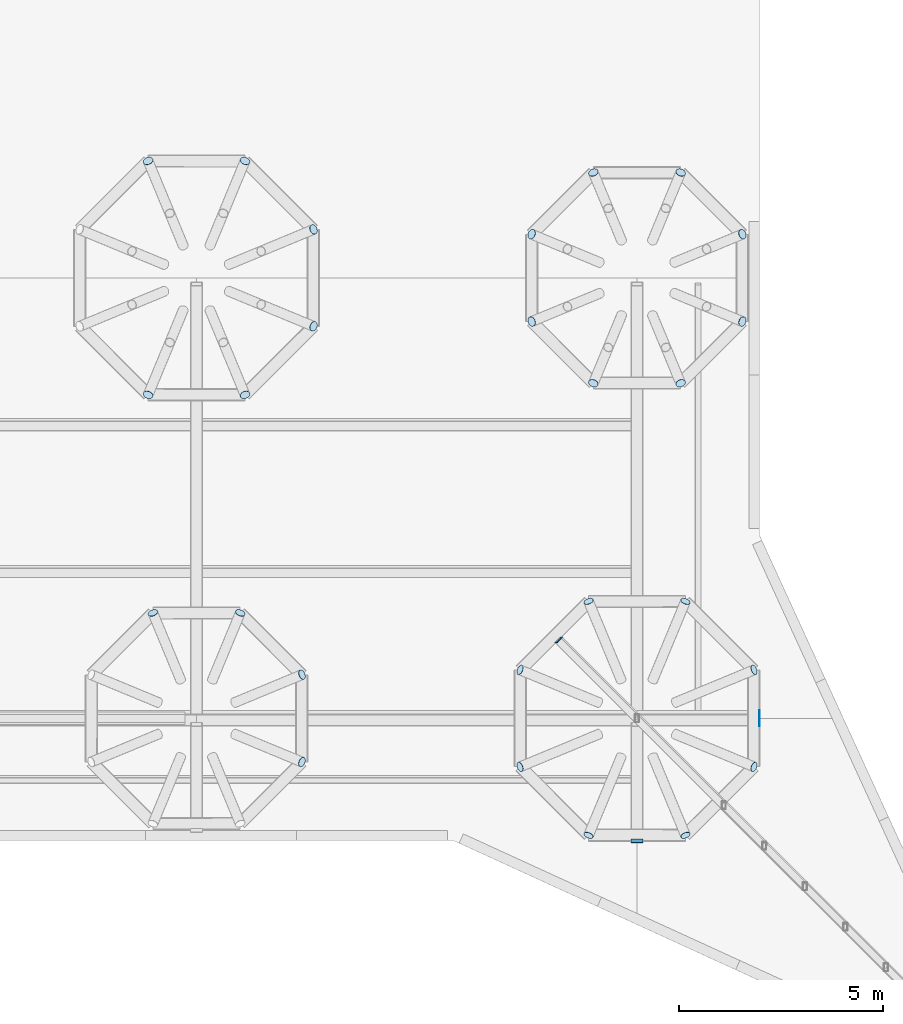
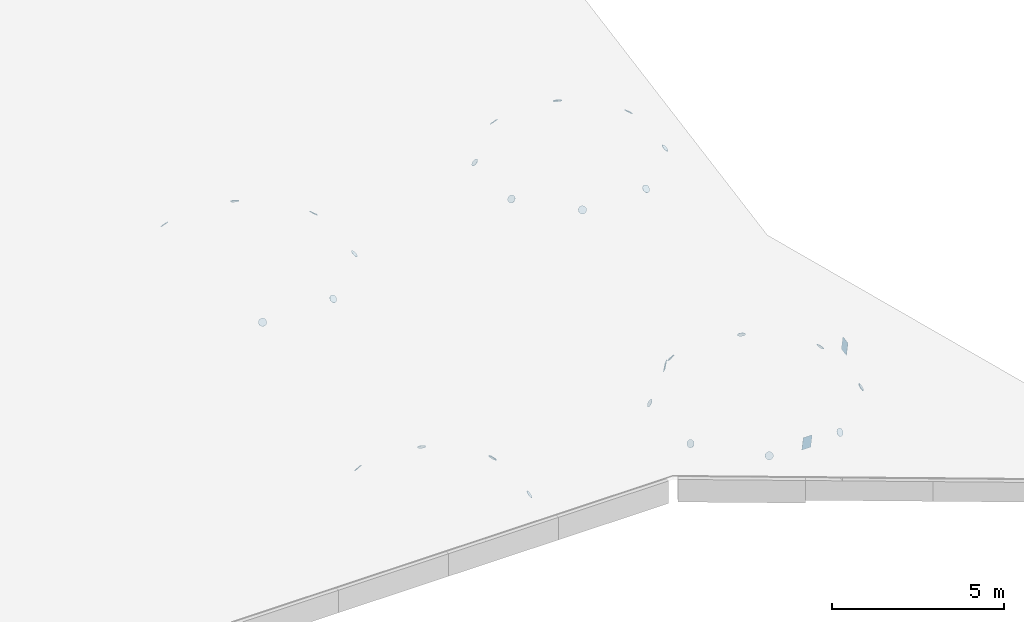
# One storey, part 41 of 56: 29 plates.
"""IFC4 building model written with IfcOpenShell, lengths in metres."""

from ifc_helpers import new_model, si_unit, direction, frame, origin, origin_2d, place, context, subcontext, project, spatial, rectangle, circle, extrude, material, material_profile, profile_set, type_object, element, save


model = new_model("IFC4")

# Units and contexts
model_context = context("Model", 3, precision=1e-05, world=origin(), true_north=direction((0.0, 1.0)))
body_context = subcontext(model_context, "Body", "Model", "MODEL_VIEW")
ifc_project = project(units=[si_unit("LENGTHUNIT", "METRE"), si_unit("AREAUNIT", "SQUARE_METRE"), si_unit("VOLUMEUNIT", "CUBIC_METRE"), si_unit("PLANEANGLEUNIT", "RADIAN"), si_unit("MASSUNIT", "GRAM", prefix="KILO")], contexts=[model_context])

# Site, building, storey
site_placement = place(None, origin())
site = spatial("IfcSite", under=ifc_project, at=site_placement, CompositionType="ELEMENT")
building_placement = place(site_placement, origin())
building = spatial("IfcBuilding", under=site, at=building_placement, Name="Magnolia Steps Interchange", CompositionType="ELEMENT")
storey_placement = place(building_placement, frame((0.0, 0.0, 8.699951171875)))
storey = spatial("IfcBuildingStorey", under=building, at=storey_placement, Name="L02", CompositionType="ELEMENT", Elevation=8.699951171875)

# Plates
ifc_material_1 = material(Name="Steel Q355B", Category="steel")
ifc_material_profile_1 = material_profile(ifc_material_1, circle(Radius=0.12255859375, at=origin_2d()), Name="End plate CHS245x12")
ifc_profile_set_1 = profile_set([ifc_material_profile_1], Name="Steel Q355B")
plate_type_1 = type_object("IfcPlateType", Name="End plate CHS245x12", PredefinedType="SHEET", material=ifc_profile_set_1)
for number, where, z_axis, x_axis, name in (
    (1, (109.780029296875, 43.46875, 1.298828125), (0.748577885793, 0.310071112914, 0.586077685838), (-0.382683432498, 0.923879532456, 0.0), "End plate Tree rib"),
    (2, (108.268798828125, 44.97998046875, 1.298828125), (0.310071112914, 0.748577885793, 0.586077685838), (-0.923879532456, 0.382683432498, 0.0), "End plate Tree rib"),
    (3, (106.13134765625, 44.97998046875, 1.298828125), (-0.310071112914, 0.748577885793, 0.586077685838), (-0.923879532456, -0.382683432498, 0.0), "End plate Tree rib"),
    (4, (109.780029296875, 41.331298828125, 1.298828125), (0.748577885793, -0.310071112914, 0.586077685838), (0.382683432498, 0.923879532456, 0.0), "End plate Tree rib"),
    (5, (110.06396484375, 54.38623046875, 3.2744140625), (0.664583318381, 0.275279424158, 0.694658370398), (-0.382683432789, 0.923879532336, 0.0), "End plate Tree rib"),
    (6, (108.38623046875, 56.06396484375, 3.2744140625), (0.275279424158, 0.664583318381, 0.694658370398), (-0.923879532336, 0.382683432789, 0.0), "End plate Tree rib"),
    (7, (106.013671875, 56.06396484375, 3.2744140625), (-0.275279424158, 0.664583318381, 0.694658370398), (-0.923879532336, -0.382683432789, 0.0), "End plate Tree rib"),
    (8, (106.013671875, 50.3359375, 3.2744140625), (-0.275279424158, -0.664583318381, 0.694658370398), (0.923879532336, -0.382683432789, 0.0), "End plate Tree rib"),
    (9, (108.38623046875, 50.3359375, 3.2744140625), (0.275279424158, -0.664583318381, 0.694658370398), (0.923879532336, 0.382683432789, 0.0), "End plate Tree rib"),
    (10, (110.06396484375, 52.013671875, 3.2744140625), (0.664583318381, -0.275279424158, 0.694658370398), (0.382683432789, 0.923879532336, 0.0), "End plate Tree rib"),
    (11, (120.864013671875, 43.586181640625, 1.298828125), (0.786062867232, 0.325597901096, 0.525443789155), (-0.382683432978, 0.923879532258, 0.0), "End plate Tree rib"),
    (12, (119.186279296875, 45.263916015625, 1.298828125), (0.325597901096, 0.786062867232, 0.525443789155), (-0.923879532258, 0.382683432978, 0.0), "End plate Tree rib"),
    (13, (116.813720703125, 45.263916015625, 1.298828125), (-0.325597901096, 0.786062867232, 0.525443789155), (-0.923879532258, -0.382683432978, 0.0), "End plate Tree rib"),
    (14, (115.135986328125, 43.586181640625, 1.298828125), (-0.786062867232, 0.325597901096, 0.525443789155), (-0.382683432978, -0.923879532258, 0.0), "End plate Tree rib"),
    (15, (115.135986328125, 41.213623046875, 1.298828125), (-0.786062867232, -0.325597901096, 0.525443789155), (0.382683432978, -0.923879532258, 0.0), "End plate Tree rib"),
    (16, (116.813720703125, 39.535888671875, 1.298828125), (-0.325597901096, -0.786062867232, 0.525443789155), (0.923879532258, -0.382683432978, 0.0), "End plate Tree rib"),
    (17, (119.186279296875, 39.535888671875, 1.298828125), (0.325597901096, -0.786062867232, 0.525443789155), (0.923879532258, 0.382683432978, 0.0), "End plate Tree rib"),
    (18, (120.864013671875, 41.213623046875, 1.298828125), (0.786062867232, -0.325597901096, 0.525443789155), (0.382683432978, 0.923879532258, 0.0), "End plate Tree rib"),
    (19, (120.580078125, 54.268798828125, 3.2744140625), (0.664583318381, 0.275279424158, 0.694658370398), (-0.382683432789, 0.923879532336, 0.0), "End plate Tree rib"),
    (20, (119.068603515625, 55.780029296875, 3.2744140625), (0.275279424158, 0.664583318381, 0.694658370398), (-0.923879532336, 0.382683432789, 0.0), "End plate Tree rib"),
    (21, (116.931396484375, 55.780029296875, 3.2744140625), (-0.275279424158, 0.664583318381, 0.694658370398), (-0.923879532336, -0.382683432789, 0.0), "End plate Tree rib"),
    (22, (115.419921875, 54.268798828125, 3.2744140625), (-0.664583318381, 0.275279424158, 0.694658370398), (-0.382683432789, -0.923879532336, 0.0), "End plate Tree rib"),
    (23, (115.419921875, 52.13134765625, 3.2744140625), (-0.664583318381, -0.275279424158, 0.694658370398), (0.382683432789, -0.923879532336, 0.0), "End plate Tree rib"),
    (24, (116.931396484375, 50.6201171875, 3.2744140625), (-0.275279424158, -0.664583318381, 0.694658370398), (0.923879532336, -0.382683432789, 0.0), "End plate Tree rib"),
    (25, (119.068603515625, 50.6201171875, 3.2744140625), (0.275279424158, -0.664583318381, 0.694658370398), (0.923879532336, 0.382683432789, 0.0), "End plate Tree rib"),
    (26, (120.580078125, 52.13134765625, 3.2744140625), (0.664583318381, -0.275279424158, 0.694658370398), (0.382683432789, 0.923879532336, 0.0), "End plate Tree rib"),
):
    element("IfcPlate", number, at=place(storey_placement, frame(where, z_axis=z_axis, x_axis=x_axis)), inside=storey, type_object=plate_type_1, Name=name, PredefinedType="SHEET", context=body_context, shape_type="SweptSolid", body=[
        extrude(circle(Radius=0.12255859375, at=origin_2d()), origin(), (0.0, 0.0, 1.0), 0.008056640625),
    ])
ifc_material_2 = material(Name="Steel Q355B", Category="steel")
ifc_material_profile_2 = material_profile(ifc_material_2, rectangle(XDim=0.199951171875, YDim=0.300048828125, at=origin_2d()), Name="End plate RHS300x200x12")
ifc_profile_set_2 = profile_set([ifc_material_profile_2], Name="Steel Q355B")
plate_type_2 = type_object("IfcPlateType", Name="End plate RHS300x200x12", PredefinedType="SHEET", material=ifc_profile_set_2)
plate_placement = place(storey_placement, frame((116.080810546875, 44.319091796875, 1.845703125), z_axis=(-0.701264636593, 0.701264636593, 0.128280235925), x_axis=(-0.689818158293, -0.712901051665, 0.126186366241)))
element("IfcPlate", 27, at=plate_placement, inside=storey, type_object=plate_type_2, Name="End plate Spike truss bottom chord", PredefinedType="SHEET", context=body_context, shape_type="SweptSolid", body=[
    extrude(rectangle(XDim=0.199951171875, YDim=0.300048828125, at=origin_2d()), origin(), (0.0, 0.0, 1.0), 0.008056640625),
])
ifc_material_3 = material(Name="Steel Q355B", Category="steel")
ifc_material_profile_3 = material_profile(ifc_material_3, rectangle(XDim=0.300048828125, YDim=0.5, at=origin_2d()), Name="End plate RHS500x300x16")
ifc_profile_set_3 = profile_set([ifc_material_profile_3], Name="Steel Q355B")
plate_type_3 = type_object("IfcPlateType", Name="End plate RHS500x300x16", PredefinedType="SHEET", material=ifc_profile_set_3)
for number, where, z_axis, x_axis, name in (
    (28, (121.0, 42.39990234375, 1.9931640625), (1.0, 0.0, 0.0), (0.0, 0.98367737698, 0.17994115154), "End plate Roof beam"),
    (29, (118.0, 39.39990234375, 1.4443359375), (0.0, -0.98367993979, -0.179927140962), (1.0, 0.0, 0.0), "End plate Roof beam"),
):
    element("IfcPlate", number, at=place(storey_placement, frame(where, z_axis=z_axis, x_axis=x_axis)), inside=storey, type_object=plate_type_3, Name=name, PredefinedType="SHEET", context=body_context, shape_type="SweptSolid", body=[
        extrude(rectangle(XDim=0.300048828125, YDim=0.5, at=origin_2d()), origin(), (0.0, 0.0, 1.0), 0.008056640625),
    ])

save(model, "model.ifc")
